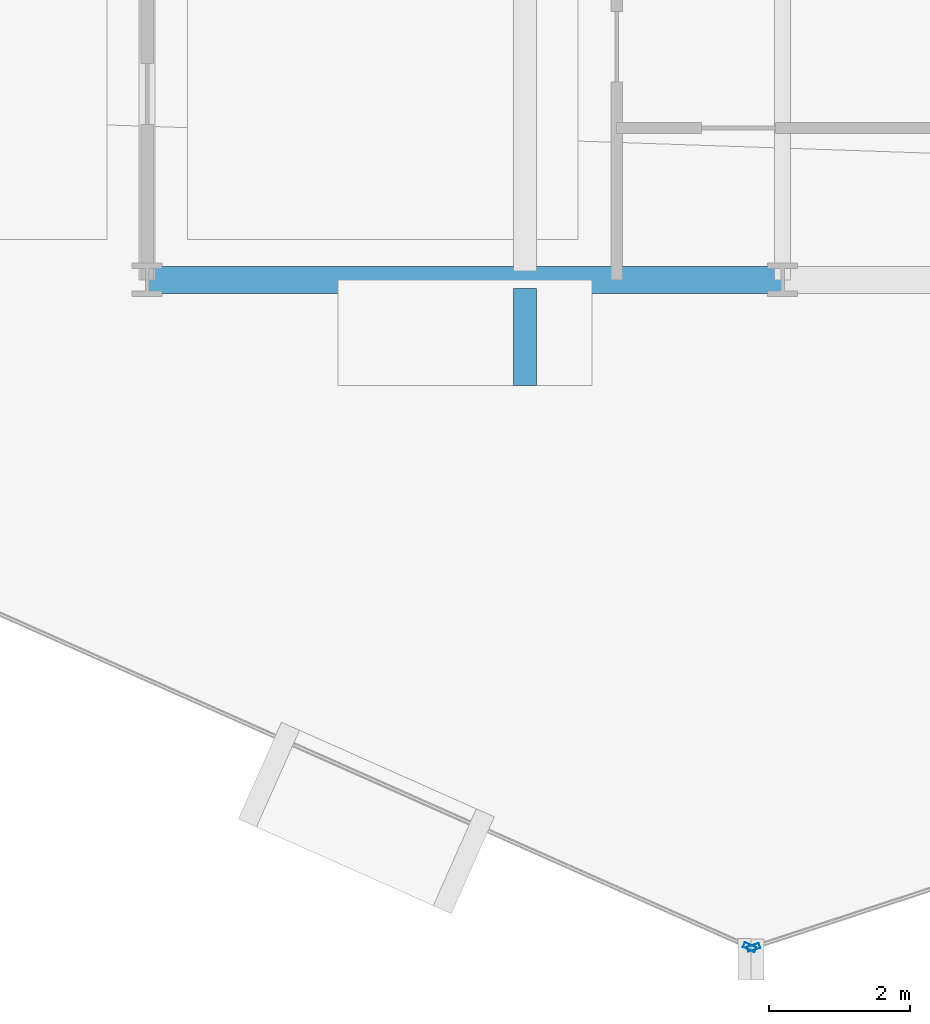
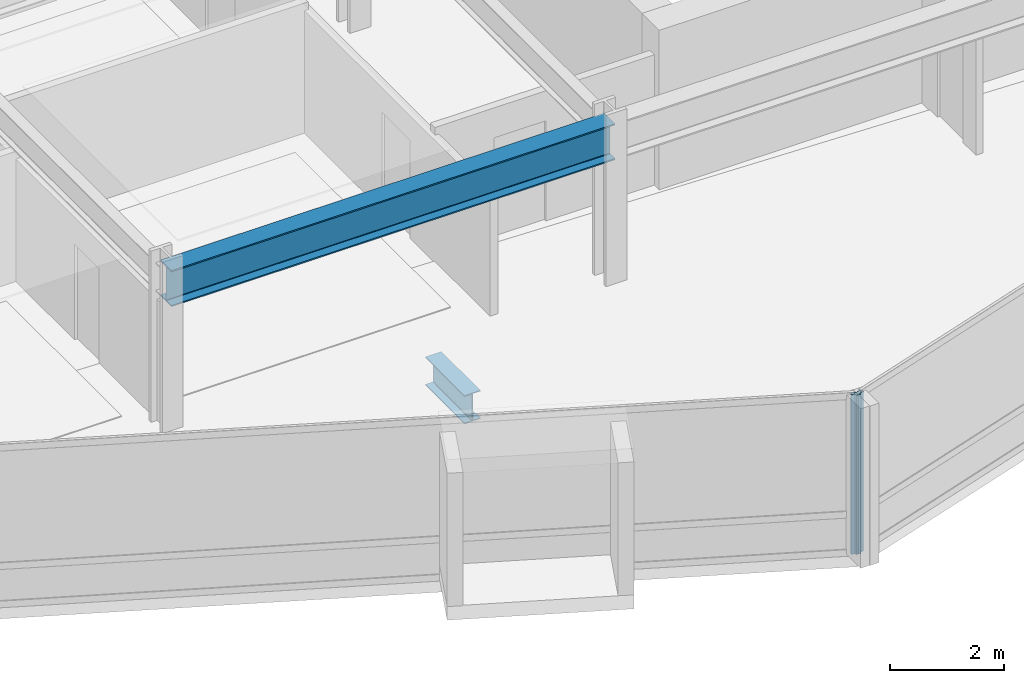
# One storey, part 4 of 34: 2 beams, 2 members, 2 elements without a shape of their own.
"""IFC4 building model written with IfcOpenShell, lengths in metres."""

import ifcopenshell
import ifcopenshell.guid

model = None  # the IFC model being written
_history = None  # IfcOwnerHistory: only IFC2X3 demands one
_inside = {}  # id of a spatial element -> (the spatial element, [elements in it])
_under = {}  # id of a project, library or spatial element -> (it, [spatial elements below it])
_declared = {}  # id of a project -> (the project, [libraries it declares])
_typed = {}  # id of a type object -> (the type object, [elements of that type])
_made_of = {}  # id of a material, layer set ... -> (it, [elements and type objects made of it])


def new_model(schema):
    """Start an empty IFC model of exactly this schema.

    Asked for "IFC4X3", IfcOpenShell would pick the latest addendum, in which some entities
    have other attributes; the version numbers below select the first issue.
    IFC2X3 requires an IfcOwnerHistory on every rooted entity: one is made here for all.
    """
    global model, _history
    if schema == "IFC4X3":
        model = ifcopenshell.file(schema_version=(4, 3, 0, 0))
    else:
        model = ifcopenshell.file(schema=schema)
    _inside.clear()
    _under.clear()
    _declared.clear()
    _typed.clear()
    _made_of.clear()
    _history = None
    if model.schema == "IFC2X3":
        org = make("IfcOrganization", Name="unknown")
        user = make(
            "IfcPersonAndOrganization",
            ThePerson=make("IfcPerson", FamilyName="unknown"),
            TheOrganization=org,
        )
        app = make(
            "IfcApplication",
            ApplicationDeveloper=org,
            Version="unknown",
            ApplicationFullName="unknown",
            ApplicationIdentifier="unknown",
        )
        _history = make(
            "IfcOwnerHistory",
            OwningUser=user,
            OwningApplication=app,
            ChangeAction="ADDED",
            CreationDate=0,
        )
    return model


def make(cls, **values):
    """One entity of the class cls with the attributes given. An attribute that is None is left unset."""
    return model.create_entity(
        cls, **{name: value for name, value in values.items() if value is not None}
    )


def rooted(cls, **values):
    """An entity with a GlobalId (a new one), such as an element, a storey or a relation."""
    return make(cls, GlobalId=ifcopenshell.guid.new(), OwnerHistory=_history, **values)


def si_unit(unit_type, name, prefix=None):
    """IfcSIUnit, for example si_unit("LENGTHUNIT", "METRE", prefix="MILLI")."""
    return make("IfcSIUnit", UnitType=unit_type, Prefix=prefix, Name=name)


def assignment(units):
    """IfcUnitAssignment: the units of a project."""
    return None if units is None else make("IfcUnitAssignment", Units=units)


def point(xyz):
    """IfcCartesianPoint."""
    return None if xyz is None else make("IfcCartesianPoint", Coordinates=xyz)


def direction(xyz):
    """IfcDirection."""
    return None if xyz is None else make("IfcDirection", DirectionRatios=xyz)


def frame(location, z_axis=None, x_axis=None):
    """IfcAxis2Placement3D, a coordinate frame: its origin and axes. An axis left out is left unset."""
    return make(
        "IfcAxis2Placement3D",
        Location=point(location),
        Axis=direction(z_axis),
        RefDirection=direction(x_axis),
    )


def frame_2d(location, x_axis=None):
    """IfcAxis2Placement2D, a coordinate frame in the plane: its origin and x axis."""
    return make(
        "IfcAxis2Placement2D", Location=point(location), RefDirection=direction(x_axis)
    )


def origin():
    """The frame at (0, 0, 0) with its axes left unset."""
    return frame((0.0, 0.0, 0.0))


def origin_2d():
    """The frame at (0, 0) in the plane with its x axis left unset."""
    return frame_2d((0.0, 0.0))


def place(relative_to, where):
    """IfcLocalPlacement: puts the frame where relative to a parent placement (None: the world)."""
    return make(
        "IfcLocalPlacement", PlacementRelTo=relative_to, RelativePlacement=where
    )


def context(
    kind, dimensions, precision=None, world=None, true_north=None, identifier=None
):
    """IfcGeometricRepresentationContext, for example the 3D "Model" context."""
    return make(
        "IfcGeometricRepresentationContext",
        ContextIdentifier=identifier,
        ContextType=kind,
        CoordinateSpaceDimension=dimensions,
        Precision=precision,
        WorldCoordinateSystem=world,
        TrueNorth=true_north,
    )


def subcontext(parent, identifier, kind, view, scale=None):
    """IfcGeometricRepresentationSubContext, for example "Body" below "Model"."""
    return make(
        "IfcGeometricRepresentationSubContext",
        ContextIdentifier=identifier,
        ContextType=kind,
        ParentContext=parent,
        TargetScale=scale,
        TargetView=view,
    )


def project(units=None, contexts=None):
    """IfcProject with its units and contexts."""
    return rooted(
        "IfcProject",
        Name="project",
        RepresentationContexts=contexts,
        UnitsInContext=assignment(units),
    )


def spatial(cls, under=None, at=None, **own):
    """A site, building, storey or space (cls), placed at a placement, below another one or the project."""
    s = rooted(cls, ObjectPlacement=at, **own)
    if under is not None:
        _under.setdefault(under.id(), (under, []))[1].append(s)
    return s


def profile(cls, at=None, kind="AREA", **sizes):
    """A parametric profile (cls). Its sizes go by their IFC names, for example OverallWidth=200.0."""
    return make(cls, ProfileType=kind, Position=at, **sizes)


def hollow_rectangle(**sizes):
    """IfcRectangleHollowProfileDef."""
    return profile("IfcRectangleHollowProfileDef", **sizes)


def i_section(**sizes):
    """IfcIShapeProfileDef."""
    return profile("IfcIShapeProfileDef", **sizes)


def extrude(swept, where, along, depth):
    """IfcExtrudedAreaSolid: the profile swept, set in the frame where, extruded along a direction by depth."""
    return make(
        "IfcExtrudedAreaSolid",
        SweptArea=swept,
        Position=where,
        ExtrudedDirection=direction(along),
        Depth=depth,
    )


def shape(context_of_items, identifier, shape_type, items):
    """IfcShapeRepresentation: the items that make up one representation, for example the "Body"."""
    return make(
        "IfcShapeRepresentation",
        ContextOfItems=context_of_items,
        RepresentationIdentifier=identifier,
        RepresentationType=shape_type,
        Items=items,
    )


def material(Name=None, Category=None):
    """IfcMaterial."""
    return make("IfcMaterial", Name=Name, Category=Category)


def layer(
    of_material, thickness, ventilated=None, Name=None, Category=None, Priority=None
):
    """IfcMaterialLayer: one layer of a wall or slab, of a material (None: an air gap)."""
    return make(
        "IfcMaterialLayer",
        Material=of_material,
        LayerThickness=thickness,
        IsVentilated=ventilated,
        Name=Name,
        Category=Category,
        Priority=Priority,
    )


def layer_set(layers, Name=None):
    """IfcMaterialLayerSet."""
    return make("IfcMaterialLayerSet", MaterialLayers=layers, LayerSetName=Name)


def material_profile(
    of_material, cross_section, Name=None, Category=None, Priority=None
):
    """IfcMaterialProfile: a cross section and its material."""
    return make(
        "IfcMaterialProfile",
        Name=Name,
        Material=of_material,
        Profile=cross_section,
        Priority=Priority,
        Category=Category,
    )


def profile_set(profiles, Name=None, composite=None):
    """IfcMaterialProfileSet."""
    return make(
        "IfcMaterialProfileSet",
        Name=Name,
        MaterialProfiles=profiles,
        CompositeProfile=composite,
    )


def made_of(thing, what):
    """Note that an element or type object is made of a material, layer set ...; save() writes the relation."""
    if what is not None:
        _made_of.setdefault(what.id(), (what, []))[1].append(thing)
    return thing


def type_object(cls, material=None, **own):
    """A type object (cls), such as IfcWallType, which elements share."""
    return made_of(rooted(cls, **own), material)


def element(
    cls,
    number,
    at=None,
    inside=None,
    cuts=None,
    type_object=None,
    material=None,
    context=None,
    identifier="Body",
    shape_type=None,
    held_by="IfcProductDefinitionShape",
    body=None,
    shapes=None,
    **own,
):
    """One element of the class cls, such as IfcWall. Its Tag is "e" and its number.

    at: its placement. inside: the storey or other place that contains it. cuts: it is an
    opening in that element (IfcRelVoidsElement). A single representation is given by context,
    identifier, shape_type and body (its items); several are given by shapes. held_by: the class
    of the entity that holds the representations. save() writes the other relations.
    """
    e = rooted(cls, Tag="e%d" % number, ObjectPlacement=at, **own)
    if body is not None:
        shapes = [shape(context, identifier, shape_type, body)]
    if shapes is not None:
        e.Representation = make(held_by, Representations=shapes)
    if inside is not None:
        _inside.setdefault(inside.id(), (inside, []))[1].append(e)
    if cuts is not None:
        rooted(
            "IfcRelVoidsElement", RelatingBuildingElement=cuts, RelatedOpeningElement=e
        )
    if type_object is not None:
        _typed.setdefault(type_object.id(), (type_object, []))[1].append(e)
    return made_of(e, material)


def aggregate(whole, parts):
    """IfcRelAggregates: a whole, such as a stair, and the parts it consists of."""
    return rooted("IfcRelAggregates", RelatingObject=whole, RelatedObjects=parts)


def save(model, path):
    """Write the relations noted so far, then the file.

    IfcRelAggregates (storeys below a building ...), IfcRelContainedInSpatialStructure (elements
    in a storey), IfcRelDefinesByType, IfcRelAssociatesMaterial and IfcRelDeclares: one each for
    every whole, place, type object, material and project.
    """
    for whole, parts in _under.values():
        aggregate(whole, parts)
    for where, things in _inside.values():
        rooted(
            "IfcRelContainedInSpatialStructure",
            RelatedElements=things,
            RelatingStructure=where,
        )
    for kind, things in _typed.values():
        rooted("IfcRelDefinesByType", RelatedObjects=things, RelatingType=kind)
    for what, things in _made_of.values():
        rooted("IfcRelAssociatesMaterial", RelatedObjects=things, RelatingMaterial=what)
    for by, libraries in _declared.values():
        rooted("IfcRelDeclares", RelatingContext=by, RelatedDefinitions=libraries)
    model.write(path)


model = new_model("IFC4")

# Units and contexts
model_context = context("Model", 3, precision=1e-05, world=origin(), true_north=direction((0.0, 1.0)))
body_context = subcontext(model_context, "Body", "Model", "MODEL_VIEW")
ifc_project = project(units=[si_unit("LENGTHUNIT", "METRE"), si_unit("AREAUNIT", "SQUARE_METRE"), si_unit("VOLUMEUNIT", "CUBIC_METRE"), si_unit("PLANEANGLEUNIT", "RADIAN"), si_unit("MASSUNIT", "GRAM", prefix="KILO")], contexts=[model_context])

# Site, building, storey
site_placement = place(None, origin())
site = spatial("IfcSite", under=ifc_project, at=site_placement, CompositionType="ELEMENT")
building_placement = place(site_placement, origin())
building = spatial("IfcBuilding", under=site, at=building_placement, Name="Solvaryn Broadcast Tower", CompositionType="ELEMENT")
storey_placement = place(building_placement, frame((0.0, 0.0, 89.10009765625)))
storey = spatial("IfcBuildingStorey", under=building, at=storey_placement, Name="L21", CompositionType="ELEMENT", Elevation=89.10009765625)

# Beams
ifc_material_1 = material(Name="Steel ASTM A992 Grade 50", Category="steel")
ifc_material_profile_1 = material_profile(ifc_material_1, i_section(OverallWidth=0.323974609375, OverallDepth=0.611083984375, WebThickness=0.0126953125, FlangeThickness=0.01904296875, FilletRadius=0.014892578125, at=origin_2d()))
ifc_profile_set_1 = profile_set([ifc_material_profile_1], Name="Steel ASTM A992 Grade 50")
beam_type_1 = type_object("IfcBeamType", Name="BM-CANT-TER", PredefinedType="BEAM", material=ifc_profile_set_1)
beam_1_placement = place(storey_placement, frame((23.35009765625, 8.875, -0.585693359375), z_axis=(0.0, -1.0, 0.0), x_axis=(1.0, 0.0, 0.0)))
element("IfcBeam", 1, at=beam_1_placement, inside=storey, type_object=beam_type_1, Name="L21 Bay-Box Cantilever Bracket 1", PredefinedType="BEAM", context=body_context, shape_type="SweptSolid", body=[
    extrude(i_section(OverallWidth=0.323974609375, OverallDepth=0.611083984375, WebThickness=0.0126953125, FlangeThickness=0.01904296875, FilletRadius=0.014892578125, at=origin_2d()), origin(), (0.0, 0.0, 1.0), 1.375),
])
ifc_material_2 = material(Name="Steel ASTM A992 Grade 50", Category="steel")
ifc_material_profile_2 = material_profile(ifc_material_2, i_section(OverallWidth=0.381103515625, OverallDepth=0.77294921875, WebThickness=0.0166015625, FlangeThickness=0.027099609375, FilletRadius=0.01806640625, at=origin_2d()))
ifc_profile_set_2 = profile_set([ifc_material_profile_2], Name="Steel ASTM A992 Grade 50")
beam_type_2 = type_object("IfcBeamType", Name="BM-SP1-W30X173", PredefinedType="USERDEFINED", material=ifc_profile_set_2)
beam_2_placement = place(storey_placement, frame((18.0, 9.0, 3.033447265625), z_axis=(1.0, 0.0, 0.0), x_axis=(0.0, 1.0, 0.0)))
element("IfcBeam", 2, at=beam_2_placement, inside=storey, type_object=beam_type_2, Name="L21 Spandrel Beam X (18-27 @ Y=9)", ObjectType="SPANDREL", PredefinedType="USERDEFINED", context=body_context, shape_type="SweptSolid", body=[
    extrude(i_section(OverallWidth=0.381103515625, OverallDepth=0.77294921875, WebThickness=0.0166015625, FlangeThickness=0.027099609375, FilletRadius=0.01806640625, at=origin_2d()), origin(), (0.0, 0.0, 1.0), 9.0),
])

# Curtain wall, member
ifc_material_3 = material(Name="Aluminium and Terracotta Unitised Curtain Wall", Category="masonry")
ifc_layer = layer(ifc_material_3, 0.199951171875)
ifc_layer_set = layer_set([ifc_layer], Name="CW-SYS2-LOWMID")
curtain_wall_type = type_object("IfcCurtainWallType", Name="CW-SYS2-LOWMID", PredefinedType="NOTDEFINED", material=ifc_layer_set)
curtain_wall_1_placement = place(storey_placement, origin())
curtain_wall_1 = element("IfcCurtainWall", 3, at=curtain_wall_1_placement, inside=storey, type_object=curtain_wall_type, Name="L21 Curtain Wall DR3", PredefinedType="NOTDEFINED")
ifc_material_4 = material(Name="Anodised Aluminium 6063-T6", Category="aluminium")
ifc_material_profile_3 = material_profile(ifc_material_4, hollow_rectangle(XDim=0.074951171875, YDim=0.179931640625, WallThickness=0.00390625, InnerFilletRadius=0.00390625, OuterFilletRadius=0.008056640625, at=origin_2d()))
ifc_profile_set_3 = profile_set([ifc_material_profile_3], Name="Anodised Aluminium 6063-T6")
member_type = type_object("IfcMemberType", Name="CW-MUL-180", PredefinedType="MULLION", material=ifc_profile_set_3)
member_1_placement = place(storey_placement, frame((26.532470703125, -0.451904296875, 0.0), z_axis=(0.0, 0.0, 1.0), x_axis=(0.405898286554, 0.913918257271, 0.0)))
member_1 = element("IfcMember", 4, at=member_1_placement, type_object=member_type, Name="CWS2 mullion 2", PredefinedType="MULLION", context=body_context, shape_type="SweptSolid", body=[
    extrude(hollow_rectangle(XDim=0.074951171875, YDim=0.179931640625, WallThickness=0.00390625, InnerFilletRadius=0.00390625, OuterFilletRadius=0.008056640625, at=origin_2d()), origin(), (0.0, 0.0, 1.0), 3.419921875),
])
aggregate(curtain_wall_1, [member_1])

curtain_wall_2_placement = place(storey_placement, origin())
curtain_wall_2 = element("IfcCurtainWall", 5, at=curtain_wall_2_placement, inside=storey, type_object=curtain_wall_type, Name="L21 Curtain Wall DR4", PredefinedType="NOTDEFINED")
member_2_placement = place(storey_placement, frame((26.588623046875, -0.45458984375, 0.0), z_axis=(0.0, 0.0, 1.0), x_axis=(-0.311594044587, 0.950215318429, 0.0)))
member_2 = element("IfcMember", 6, at=member_2_placement, type_object=member_type, Name="CWS2 mullion 1", PredefinedType="MULLION", context=body_context, shape_type="SweptSolid", body=[
    extrude(hollow_rectangle(XDim=0.074951171875, YDim=0.179931640625, WallThickness=0.00390625, InnerFilletRadius=0.00390625, OuterFilletRadius=0.008056640625, at=origin_2d()), origin(), (0.0, 0.0, 1.0), 3.419921875),
])
aggregate(curtain_wall_2, [member_2])

save(model, "model.ifc")
